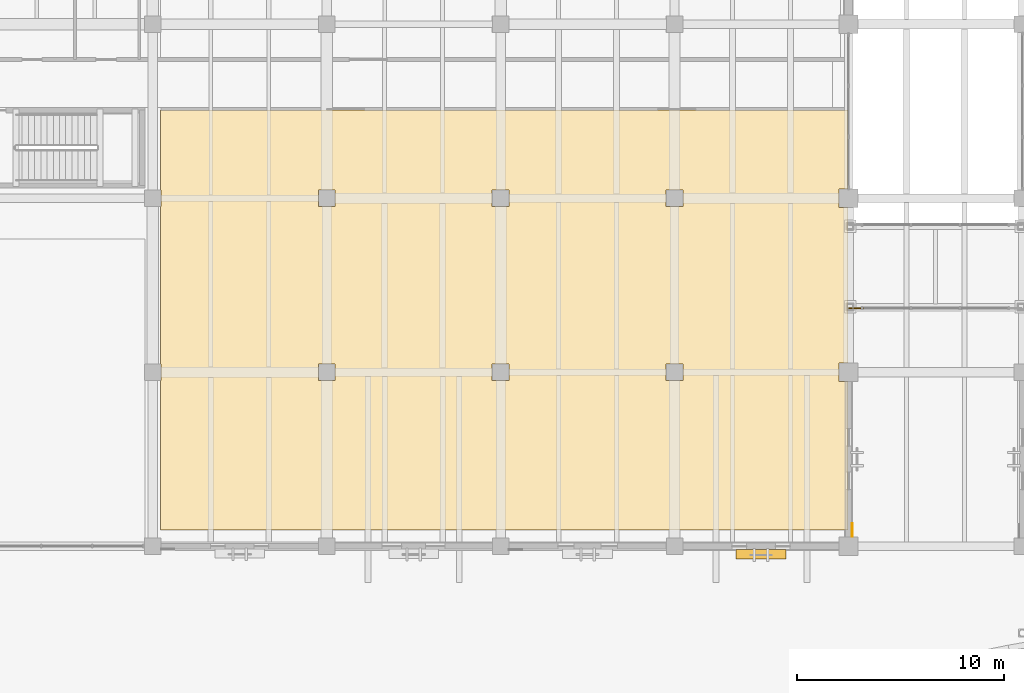
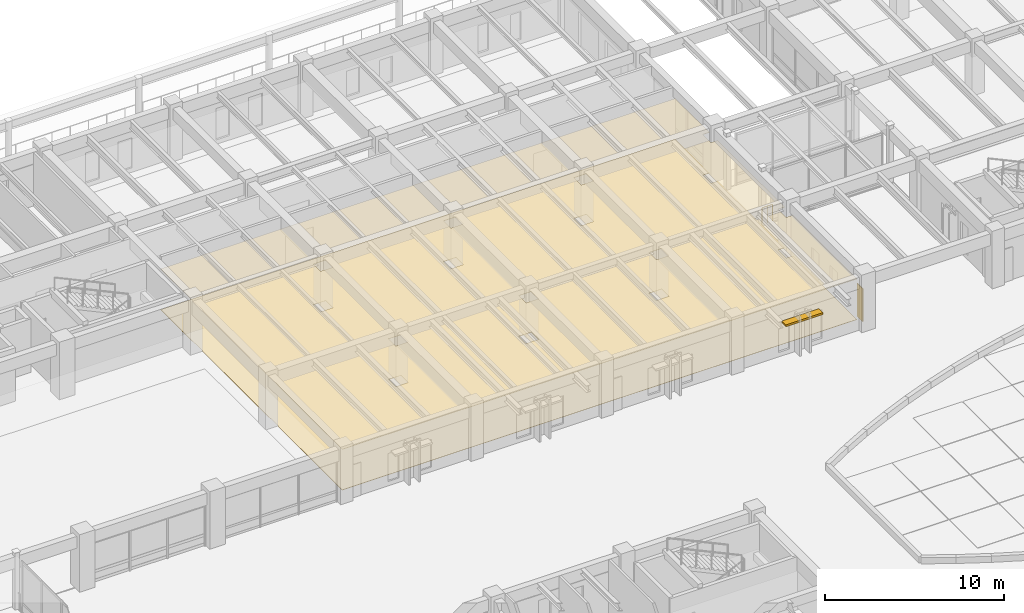
# One storey, part 120 of 135: 3 coverings, 1 railing, 1 shading device.
"""IFC4 building model written with IfcOpenShell, lengths in metres."""

from ifc_helpers import new_model, si_unit, direction, frame, origin, origin_2d, place, context, subcontext, project, spatial, polyline, rectangle, circle, outline, extrude, material, layer, layer_set, type_object, element, save


model = new_model("IFC4")

# Units and contexts
model_context = context("Model", 3, precision=1e-05, world=origin(), true_north=direction((0.0, 1.0)))
body_context = subcontext(model_context, "Body", "Model", "MODEL_VIEW")
ifc_project = project(units=[si_unit("LENGTHUNIT", "METRE"), si_unit("AREAUNIT", "SQUARE_METRE"), si_unit("VOLUMEUNIT", "CUBIC_METRE"), si_unit("PLANEANGLEUNIT", "RADIAN"), si_unit("MASSUNIT", "GRAM", prefix="KILO")], contexts=[model_context])

# Site, building, storey
site_placement = place(None, origin())
site = spatial("IfcSite", under=ifc_project, at=site_placement, CompositionType="ELEMENT")
building_placement = place(site_placement, origin())
building = spatial("IfcBuilding", under=site, at=building_placement, Name="Cumbredor Promenade Congress Hotel", CompositionType="ELEMENT")
storey_placement = place(building_placement, origin())
storey = spatial("IfcBuildingStorey", under=building, at=storey_placement, Name="L00", CompositionType="ELEMENT", Elevation=0.0)

# Coverings
ifc_material_1 = material(Name="Acoustic mineral-fiber and gypsum ceiling")
ifc_layer_1 = layer(ifc_material_1, 0.02197265625, Name="Acoustic mineral-fiber and gypsum ceiling")
ifc_layer_set_1 = layer_set([ifc_layer_1], Name="Acoustic mineral-fiber and gypsum ceiling")
covering_type_1 = type_object("IfcCoveringType", Name="Acoustic Perforated Gypsum Ceiling CLG-02 22mm", PredefinedType="CEILING", material=ifc_layer_set_1)
covering_1_placement = place(storey_placement, frame((0.0, 0.0, 2.76904296875)))
element("IfcCovering", 1, at=covering_1_placement, inside=storey, type_object=covering_type_1, Name="Mirador del Rio Signature Restaurant Acoustic Ceiling", PredefinedType="CEILING", context=body_context, shape_type="SweptSolid", body=[
    extrude(outline(polyline([(83.969970703125, 105.070068359375), (83.969970703125, 101.2548828125), (83.544921875, 101.2548828125), (83.544921875, 100.344970703125), (83.969970703125, 100.344970703125), (83.969970703125, 92.85498046875), (83.544921875, 92.85498046875), (83.544921875, 91.945068359375), (83.969970703125, 91.945068359375), (83.969970703125, 84.780029296875), (50.780029296875, 84.780029296875), (50.780029296875, 91.9951171875), (50.804931640625, 91.9951171875), (50.804931640625, 92.804931640625), (50.780029296875, 92.804931640625), (50.780029296875, 100.39501953125), (50.804931640625, 100.39501953125), (50.804931640625, 101.205078125), (50.780029296875, 101.205078125), (50.780029296875, 105.070068359375), (83.969970703125, 105.070068359375)]), holes=[polyline([(59.205078125, 91.9951171875), (59.205078125, 92.804931640625), (58.39501953125, 92.804931640625), (58.39501953125, 91.9951171875), (59.205078125, 91.9951171875)]), polyline([(58.39501953125, 100.39501953125), (59.205078125, 100.39501953125), (59.205078125, 101.205078125), (58.39501953125, 101.205078125), (58.39501953125, 100.39501953125)]), polyline([(66.794921875, 92.804931640625), (66.794921875, 91.9951171875), (67.60498046875, 91.9951171875), (67.60498046875, 92.804931640625), (66.794921875, 92.804931640625)]), polyline([(67.60498046875, 101.205078125), (66.794921875, 101.205078125), (66.794921875, 100.39501953125), (67.60498046875, 100.39501953125), (67.60498046875, 101.205078125)]), polyline([(76.0048828125, 91.9951171875), (76.0048828125, 92.804931640625), (75.195068359375, 92.804931640625), (75.195068359375, 91.9951171875), (76.0048828125, 91.9951171875)]), polyline([(75.195068359375, 100.39501953125), (76.0048828125, 100.39501953125), (76.0048828125, 101.205078125), (75.195068359375, 101.205078125), (75.195068359375, 100.39501953125)])]), origin(), (0.0, 0.0, 1.0), 0.02197265625),
])
ifc_material_2 = material(Name="Precast concrete C40/50", Category="concrete")
ifc_layer_2 = layer(ifc_material_2, 0.044921875, Name="Precast concrete C40/50", Category="concrete")
ifc_layer_set_2 = layer_set([ifc_layer_2], Name="Precast concrete C40/50")
covering_type_2 = type_object("IfcCoveringType", Name="Board-Formed Architectural Cladding Panel 45mm", PredefinedType="CLADDING", material=ifc_layer_set_2)
covering_2_placement = place(storey_placement, origin())
element("IfcCovering", 2, at=covering_2_placement, inside=storey, type_object=covering_type_2, Name="L00 Facade Stone Cladding Pier 044", PredefinedType="CLADDING", context=body_context, shape_type="SweptSolid", body=[
    extrude(outline(polyline([(84.14990234375, 84.450927734375), (84.14990234375, 85.10107421875), (84.195068359375, 85.10107421875), (84.195068359375, 84.450927734375), (84.14990234375, 84.450927734375)])), origin(), (0.0, 0.0, 1.0), 2.25),
])

# Shading device
ifc_material_3 = material(Name="Thermally broken anodized aluminium", Category="aluminium")
shading_device_type = type_object("IfcShadingDeviceType", Name="Horizontal Bronze Jalousie Louvre JAL-01", PredefinedType="JALOUSIE", material=ifc_material_3)
shading_device_placement = place(storey_placement, frame((79.77490234375, 83.612548828125, 2.260009765625), z_axis=(0.0, 0.0, 1.0), x_axis=(1.0, 0.0, 0.0)))
element("IfcShadingDevice", 3, at=shading_device_placement, inside=storey, type_object=shading_device_type, Name="L00 Horizontal Bronze Jalousie 026", PredefinedType="JALOUSIE", context=body_context, shape_type="SweptSolid", body=[
    extrude(rectangle(XDim=2.39990234375, YDim=0.449951171875, at=origin_2d()), origin(), (0.0, 0.0, 1.0), 0.1201171875),
])

# Covering
ifc_material_4 = material(Name="Porcelain stoneware tile", Category="masonry")
ifc_layer_3 = layer(ifc_material_4, 0.02001953125, Name="Porcelain stoneware tile", Category="masonry")
ifc_layer_set_3 = layer_set([ifc_layer_3], Name="Porcelain stoneware tile")
covering_type_3 = type_object("IfcCoveringType", Name="Porcelain Stoneware Flooring FLR-01 20mm", PredefinedType="FLOORING", material=ifc_layer_set_3)
covering_3_placement = place(storey_placement, origin())
element("IfcCovering", 4, at=covering_3_placement, inside=storey, type_object=covering_type_3, Name="Mirador del Rio Signature Restaurant Porcelain Flooring", PredefinedType="FLOORING", context=body_context, shape_type="SweptSolid", body=[
    extrude(outline(polyline([(83.969970703125, 105.070068359375), (83.969970703125, 101.2548828125), (83.544921875, 101.2548828125), (83.544921875, 100.344970703125), (83.969970703125, 100.344970703125), (83.969970703125, 92.85498046875), (83.544921875, 92.85498046875), (83.544921875, 91.945068359375), (83.969970703125, 91.945068359375), (83.969970703125, 84.780029296875), (50.780029296875, 84.780029296875), (50.780029296875, 91.9951171875), (50.804931640625, 91.9951171875), (50.804931640625, 92.804931640625), (50.780029296875, 92.804931640625), (50.780029296875, 100.39501953125), (50.804931640625, 100.39501953125), (50.804931640625, 101.205078125), (50.780029296875, 101.205078125), (50.780029296875, 105.070068359375), (83.969970703125, 105.070068359375)]), holes=[polyline([(59.205078125, 91.9951171875), (59.205078125, 92.804931640625), (58.39501953125, 92.804931640625), (58.39501953125, 91.9951171875), (59.205078125, 91.9951171875)]), polyline([(58.39501953125, 100.39501953125), (59.205078125, 100.39501953125), (59.205078125, 101.205078125), (58.39501953125, 101.205078125), (58.39501953125, 100.39501953125)]), polyline([(66.794921875, 92.804931640625), (66.794921875, 91.9951171875), (67.60498046875, 91.9951171875), (67.60498046875, 92.804931640625), (66.794921875, 92.804931640625)]), polyline([(67.60498046875, 101.205078125), (66.794921875, 101.205078125), (66.794921875, 100.39501953125), (67.60498046875, 100.39501953125), (67.60498046875, 101.205078125)]), polyline([(76.0048828125, 91.9951171875), (76.0048828125, 92.804931640625), (75.195068359375, 92.804931640625), (75.195068359375, 91.9951171875), (76.0048828125, 91.9951171875)]), polyline([(75.195068359375, 100.39501953125), (76.0048828125, 100.39501953125), (76.0048828125, 101.205078125), (75.195068359375, 101.205078125), (75.195068359375, 100.39501953125)])]), origin(), (0.0, 0.0, 1.0), 0.02001953125),
])

# Railing
ifc_material_5 = material(Name="Brushed stainless steel", Category="steel")
railing_type = type_object("IfcRailingType", Name="Sky Garden Glass-and-Steel Balustrade BAL-1150", PredefinedType="BALUSTRADE", material=ifc_material_5)
railing_placement = place(storey_placement, frame((84.030029296875, 95.47998046875, 0.0)))
element("IfcRailing", 5, at=railing_placement, inside=storey, type_object=railing_type, Name="L00 North Hotel-to-Forum Glazed Bridge End Guardrail WS", PredefinedType="BALUSTRADE", context=body_context, shape_type="SweptSolid", body=[
    extrude(circle(Radius=0.02392578125, at=origin_2d()), frame((0.0, 0.0, 1.1259765625), z_axis=(1.0, 0.0, 0.0), x_axis=(0.0, 1.0, 0.0)), (0.0, 0.0, 1.0), 0.669921875),
    extrude(circle(Radius=0.02099609375, at=origin_2d()), origin(), (0.0, 0.0, 1.0), 1.101806640625),
    extrude(circle(Radius=0.02099609375, at=origin_2d()), frame((0.3349609375, 0.0, 0.0)), (0.0, 0.0, 1.0), 1.101806640625),
    extrude(circle(Radius=0.02099609375, at=origin_2d()), frame((0.669921875, 0.0, 0.0)), (0.0, 0.0, 1.0), 1.101806640625),
])

save(model, "model.ifc")
